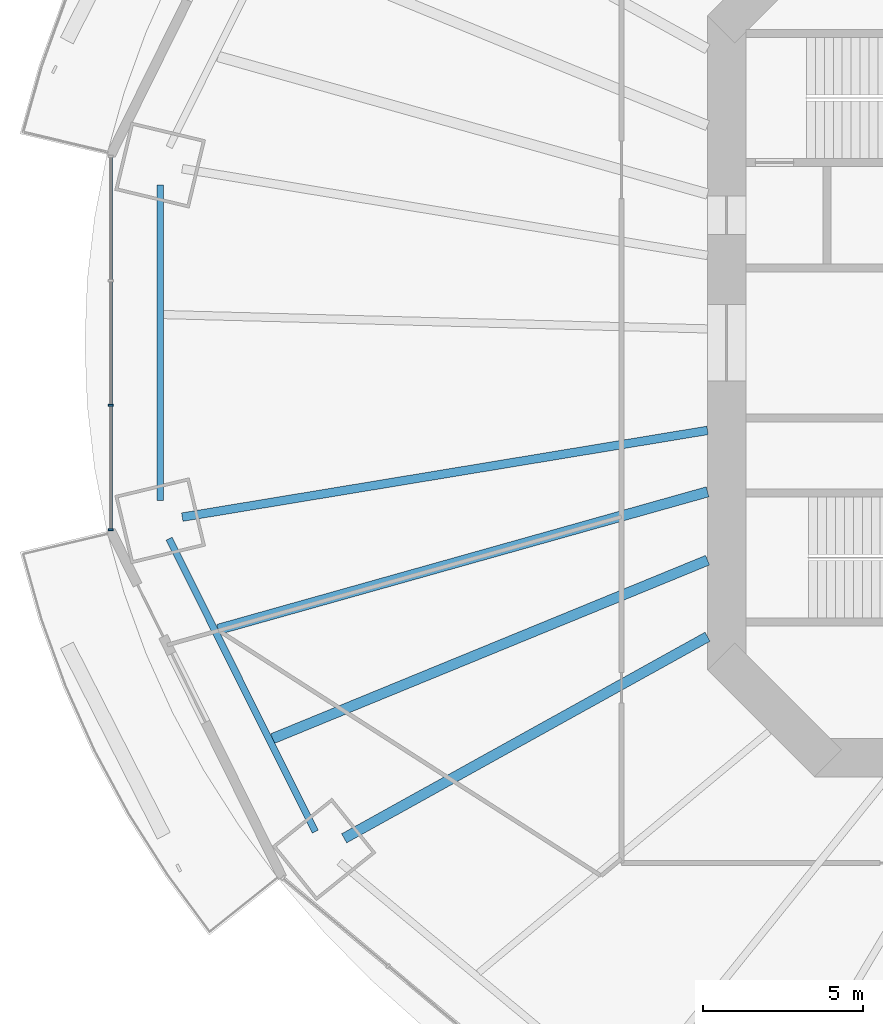
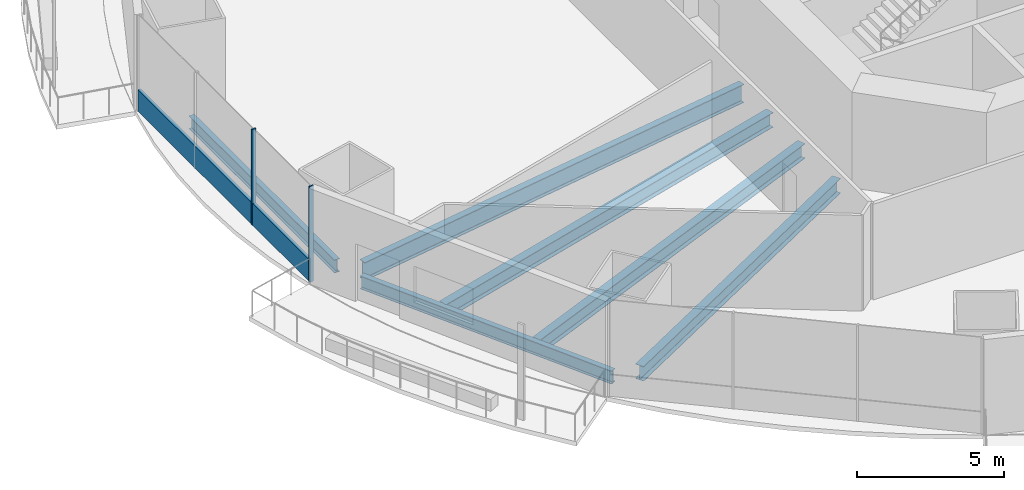
# One storey, part 3 of 23: 6 beams, 3 members, 1 element without a shape of its own.
"""IFC4 building model written with IfcOpenShell, lengths in metres."""

from ifc_helpers import new_model, si_unit, direction, frame, origin, origin_2d, place, context, subcontext, project, spatial, rectangle, i_section, extrude, material, material_profile, profile_set, type_object, element, aggregate, save


model = new_model("IFC4")

# Units and contexts
model_context = context("Model", 3, precision=1e-05, world=origin(), true_north=direction((0.0, 1.0)))
body_context = subcontext(model_context, "Body", "Model", "MODEL_VIEW")
ifc_project = project(units=[si_unit("LENGTHUNIT", "METRE"), si_unit("AREAUNIT", "SQUARE_METRE"), si_unit("VOLUMEUNIT", "CUBIC_METRE"), si_unit("PLANEANGLEUNIT", "RADIAN"), si_unit("MASSUNIT", "GRAM", prefix="KILO")], contexts=[model_context])

# Site, building, storey
site_placement = place(None, origin())
site = spatial("IfcSite", under=ifc_project, at=site_placement, CompositionType="ELEMENT")
building_placement = place(site_placement, origin())
building = spatial("IfcBuilding", under=site, at=building_placement, Name="Marenthal Gate Tower", CompositionType="ELEMENT")
storey_placement = place(building_placement, frame((0.0, 0.0, 57.89990234375)))
storey = spatial("IfcBuildingStorey", under=building, at=storey_placement, Name="L10", CompositionType="ELEMENT", Elevation=57.89990234375)

# Curtain wall, members
ifc_material_1 = material(Name="Aluminium and glass", Category="aluminium")
curtain_wall_type = type_object("IfcCurtainWallType", Name="Curtain wall typical low", PredefinedType="NOTDEFINED", material=ifc_material_1)
curtain_wall_placement = place(storey_placement, origin())
curtain_wall = element("IfcCurtainWall", 1, at=curtain_wall_placement, inside=storey, type_object=curtain_wall_type, Name="Curtain wall L10 bay 8", PredefinedType="NOTDEFINED")
ifc_material_2 = material(Name="Aluminium", Category="aluminium")
ifc_material_profile_1 = material_profile(ifc_material_2, rectangle(XDim=0.159912109375, YDim=0.06005859375, at=origin_2d()), Name="60x160 aluminium mullion")
ifc_profile_set_1 = profile_set([ifc_material_profile_1], Name="Aluminium")
member_type_1 = type_object("IfcMemberType", Name="Mullion 60x160 typical low", PredefinedType="MULLION", material=ifc_profile_set_1)
member_1_placement = place(storey_placement, frame((-35.303466796875, -1.95068359375, 0.0), z_axis=(0.0, 0.0, 1.0), x_axis=(1.0, 0.0, 0.0)))
member_1 = element("IfcMember", 2, at=member_1_placement, type_object=member_type_1, Name="Mullion L10 bay 8.3", PredefinedType="MULLION", context=body_context, shape_type="SweptSolid", body=[
    extrude(rectangle(XDim=0.159912109375, YDim=0.06005859375, at=origin_2d()), origin(), (0.0, 0.0, 1.0), 3.97021484375),
])
member_2_placement = place(storey_placement, frame((-35.303466796875, -5.851806640625, 0.0), z_axis=(0.0, 0.0, 1.0), x_axis=(1.0, 0.0, 0.0)))
member_2 = element("IfcMember", 3, at=member_2_placement, type_object=member_type_1, Name="Mullion L10 bay 8.4", PredefinedType="MULLION", context=body_context, shape_type="SweptSolid", body=[
    extrude(rectangle(XDim=0.159912109375, YDim=0.06005859375, at=origin_2d()), origin(), (0.0, 0.0, 1.0), 3.97021484375),
])
ifc_material_3 = material(Name="Aluminium", Category="aluminium")
ifc_material_profile_2 = material_profile(ifc_material_3, rectangle(XDim=0.1201171875, YDim=0.89990234375, at=origin_2d()), Name="120x900 aluminium transom")
ifc_profile_set_2 = profile_set([ifc_material_profile_2], Name="Aluminium")
member_type_2 = type_object("IfcMemberType", Name="Transom 120x900 typical low", PredefinedType="USERDEFINED", material=ifc_profile_set_2)
member_3_placement = place(storey_placement, frame((-35.303466796875, 5.82177734375, 0.4501953125), z_axis=(0.0, -1.0, 0.0), x_axis=(1.0, 0.0, 0.0)))
member_3 = element("IfcMember", 4, at=member_3_placement, type_object=member_type_2, Name="Transom L10 bay 8", ObjectType="TRANSOM", PredefinedType="USERDEFINED", context=body_context, shape_type="SweptSolid", body=[
    extrude(rectangle(XDim=0.1201171875, YDim=0.89990234375, at=origin_2d()), origin(), (0.0, 0.0, 1.0), 11.6435546875),
])
aggregate(curtain_wall, [member_1, member_2, member_3])

# Beams
ifc_material_4 = material(Name="Steel S355", Category="steel")
ifc_material_profile_3 = material_profile(ifc_material_4, i_section(OverallWidth=0.2119140625, OverallDepth=0.5439453125, WebThickness=0.01318359375, FlangeThickness=0.021240234375, FilletRadius=0.0126953125, at=origin_2d()), Name="W530X123")
ifc_profile_set_3 = profile_set([ifc_material_profile_3], Name="Steel S355")
beam_type_1 = type_object("IfcBeamType", Name="W530X123 beam", PredefinedType="BEAM", material=ifc_profile_set_3)
beam_1_placement = place(storey_placement, frame((-33.753662109375, 4.9423828125, -0.451904296875), z_axis=(0.0, -1.0, 0.0), x_axis=(1.0, 0.0, 0.0)))
element("IfcBeam", 5, at=beam_1_placement, inside=storey, type_object=beam_type_1, Name="BM-L10-48", PredefinedType="BEAM", context=body_context, shape_type="SweptSolid", body=[
    extrude(i_section(OverallWidth=0.2119140625, OverallDepth=0.5439453125, WebThickness=0.01318359375, FlangeThickness=0.021240234375, FilletRadius=0.0126953125, at=origin_2d()), origin(), (0.0, 0.0, 1.0), 9.884765625),
])
beam_2_placement = place(storey_placement, frame((-33.472900390625, -6.136474609375, -0.451904296875), z_axis=(0.446499206551, -0.894784028998, 0.0), x_axis=(0.894784028998, 0.446499206551, 0.0)))
element("IfcBeam", 6, at=beam_2_placement, inside=storey, type_object=beam_type_1, Name="BM-L10-49", PredefinedType="BEAM", context=body_context, shape_type="SweptSolid", body=[
    extrude(i_section(OverallWidth=0.2119140625, OverallDepth=0.5439453125, WebThickness=0.01318359375, FlangeThickness=0.021240234375, FilletRadius=0.0126953125, at=origin_2d()), origin(), (0.0, 0.0, 1.0), 10.25439453125),
])
ifc_material_5 = material(Name="Steel S355", Category="steel")
ifc_material_profile_4 = material_profile(ifc_material_5, i_section(OverallWidth=0.324951171875, OverallDepth=0.612060546875, WebThickness=0.0126953125, FlangeThickness=0.01904296875, FilletRadius=0.0126953125, at=origin_2d()), Name="W610X155")
ifc_profile_set_4 = profile_set([ifc_material_profile_4], Name="Steel S355")
beam_type_2 = type_object("IfcBeamType", Name="W610X155 beam", PredefinedType="BEAM", material=ifc_profile_set_4)
beam_3_placement = place(storey_placement, frame((-27.9873046875, -15.52392578125, -0.48583984375), z_axis=(0.874477229212, 0.485066568204, 0.0), x_axis=(-0.485066568204, 0.874477229212, 0.0)))
element("IfcBeam", 7, at=beam_3_placement, inside=storey, type_object=beam_type_2, Name="BM-L10-10", PredefinedType="BEAM", context=body_context, shape_type="SweptSolid", body=[
    extrude(i_section(OverallWidth=0.324951171875, OverallDepth=0.612060546875, WebThickness=0.0126953125, FlangeThickness=0.01904296875, FilletRadius=0.0126953125, at=origin_2d()), origin(), (0.0, 0.0, 1.0), 13.021728515625),
])
beam_4_placement = place(storey_placement, frame((-31.93701171875, -8.977294921875, -0.48583984375), z_axis=(0.962687377479, 0.270615988521, 0.0), x_axis=(-0.270615988521, 0.962687377479, 0.0)))
element("IfcBeam", 8, at=beam_4_placement, inside=storey, type_object=beam_type_2, Name="BM-L10-29", PredefinedType="BEAM", context=body_context, shape_type="SweptSolid", body=[
    extrude(i_section(OverallWidth=0.324951171875, OverallDepth=0.612060546875, WebThickness=0.0126953125, FlangeThickness=0.01904296875, FilletRadius=0.0126953125, at=origin_2d()), origin(), (0.0, 0.0, 1.0), 15.931396484375),
])
beam_5_placement = place(storey_placement, frame((-30.2294921875, -12.39892578125, -0.48583984375), z_axis=(0.925197564596, 0.379485792178, 0.0), x_axis=(-0.379485792178, 0.925197564596, 0.0)))
element("IfcBeam", 9, at=beam_5_placement, inside=storey, type_object=beam_type_2, Name="BM-L10-30", PredefinedType="BEAM", context=body_context, shape_type="SweptSolid", body=[
    extrude(i_section(OverallWidth=0.324951171875, OverallDepth=0.612060546875, WebThickness=0.0126953125, FlangeThickness=0.01904296875, FilletRadius=0.0126953125, at=origin_2d()), origin(), (0.0, 0.0, 1.0), 14.7314453125),
])
ifc_material_6 = material(Name="Steel S355", Category="steel")
ifc_material_profile_5 = material_profile(ifc_material_6, i_section(OverallWidth=0.26708984375, OverallDepth=0.761962890625, WebThickness=0.014404296875, FlangeThickness=0.021484375, FilletRadius=0.0166015625, at=origin_2d()), Name="W760X173")
ifc_profile_set_5 = profile_set([ifc_material_profile_5], Name="Steel S355")
beam_type_3 = type_object("IfcBeamType", Name="W760X173 beam", PredefinedType="BEAM", material=ifc_profile_set_5)
beam_6_placement = place(storey_placement, frame((-33.06005859375, -5.458984375, -0.560791015625), z_axis=(0.986638832435, 0.16292272503, 0.0), x_axis=(-0.16292272503, 0.986638832435, 0.0)))
element("IfcBeam", 10, at=beam_6_placement, inside=storey, type_object=beam_type_3, Name="BM-L10-09", PredefinedType="BEAM", context=body_context, shape_type="SweptSolid", body=[
    extrude(i_section(OverallWidth=0.26708984375, OverallDepth=0.761962890625, WebThickness=0.014404296875, FlangeThickness=0.021484375, FilletRadius=0.0166015625, at=origin_2d()), origin(), (0.0, 0.0, 1.0), 16.682861328125),
])

save(model, "model.ifc")
